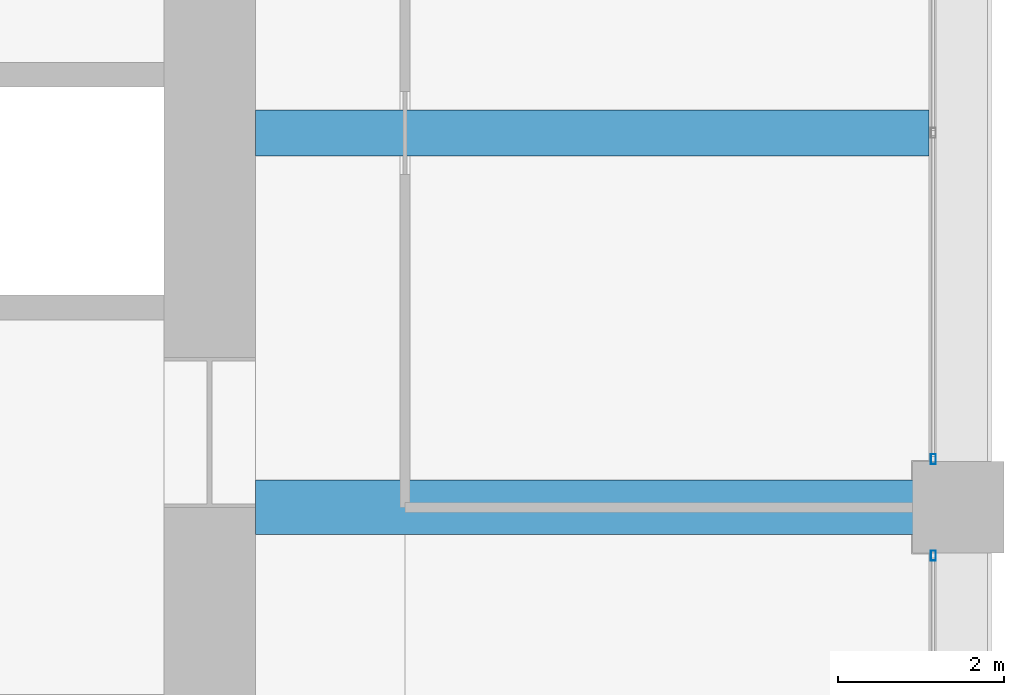
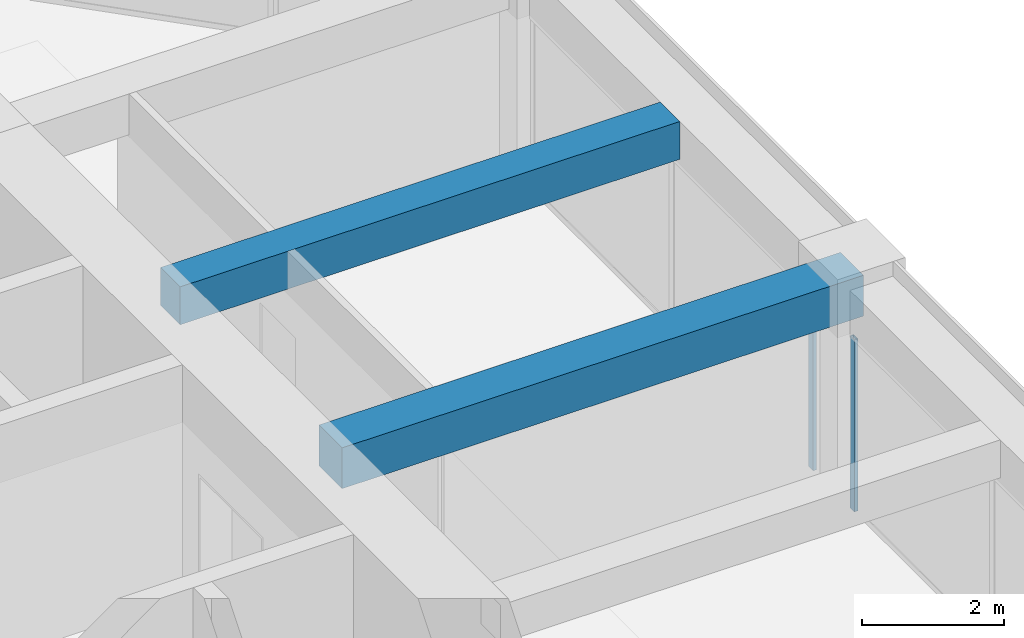
# One storey, part 26 of 44: 2 beams, 2 members, 2 elements without a shape of their own.
"""IFC4 building model written with IfcOpenShell, lengths in metres."""

from ifc_helpers import new_model, si_unit, direction, frame, origin, origin_2d, place, context, subcontext, project, spatial, rectangle, hollow_rectangle, extrude, material, material_profile, profile_set, type_object, element, aggregate, save


model = new_model("IFC4")

# Units and contexts
model_context = context("Model", 3, precision=1e-05, world=origin(), true_north=direction((0.0, 1.0)))
body_context = subcontext(model_context, "Body", "Model", "MODEL_VIEW")
ifc_project = project(units=[si_unit("LENGTHUNIT", "METRE"), si_unit("AREAUNIT", "SQUARE_METRE"), si_unit("VOLUMEUNIT", "CUBIC_METRE"), si_unit("PLANEANGLEUNIT", "RADIAN"), si_unit("MASSUNIT", "GRAM", prefix="KILO")], contexts=[model_context])

# Site, building, storey
site_placement = place(None, origin())
site = spatial("IfcSite", under=ifc_project, at=site_placement, CompositionType="ELEMENT")
building_placement = place(site_placement, origin())
building = spatial("IfcBuilding", under=site, at=building_placement, Name="Zorevar Civic Tower", CompositionType="ELEMENT")
storey_placement = place(building_placement, frame((0.0, 0.0, 251.39990234375)))
storey = spatial("IfcBuildingStorey", under=building, at=storey_placement, Name="L61", CompositionType="ELEMENT", Elevation=251.39990234375)

# Beams
ifc_material_1 = material(Name="Concrete C50/60", Category="concrete")
ifc_material_profile_1 = material_profile(ifc_material_1, rectangle(XDim=0.550048828125, YDim=0.64990234375, at=origin_2d()), Name="RC 550x650")
ifc_profile_set_1 = profile_set([ifc_material_profile_1], Name="Concrete C50/60")
beam_type_1 = type_object("IfcBeamType", Name="Beam RC 550x650", PredefinedType="BEAM", material=ifc_profile_set_1)
beam_1_placement = place(storey_placement, frame((45.550048828125, 31.5, 3.425048828125), z_axis=(1.0, 0.0, 0.0), x_axis=(0.0, 1.0, 0.0)))
element("IfcBeam", 1, at=beam_1_placement, inside=storey, type_object=beam_type_1, Name="Secondary beam L62", PredefinedType="BEAM", context=body_context, shape_type="SweptSolid", body=[
    extrude(rectangle(XDim=0.550048828125, YDim=0.64990234375, at=origin_2d()), origin(), (0.0, 0.0, 1.0), 8.099853515625),
])
ifc_material_2 = material(Name="Concrete C50/60", Category="concrete")
ifc_material_profile_2 = material_profile(ifc_material_2, rectangle(XDim=0.64990234375, YDim=0.699951171875, at=origin_2d()), Name="RC 650x700")
ifc_profile_set_2 = profile_set([ifc_material_profile_2], Name="Concrete C50/60")
beam_type_2 = type_object("IfcBeamType", Name="Beam RC 650x700", PredefinedType="BEAM", material=ifc_profile_set_2)
beam_2_placement = place(storey_placement, frame((45.550048828125, 27.0, 3.400146484375), z_axis=(1.0, 0.0, 0.0), x_axis=(0.0, 1.0, 0.0)))
element("IfcBeam", 2, at=beam_2_placement, inside=storey, type_object=beam_type_2, Name="Girder L62", PredefinedType="BEAM", context=body_context, shape_type="SweptSolid", body=[
    extrude(rectangle(XDim=0.64990234375, YDim=0.699951171875, at=origin_2d()), origin(), (0.0, 0.0, 1.0), 8.449951171875),
])

# Curtain wall, member
ifc_material_3 = material(Name="Dark grey solar-control glass in black aluminium frame", Category="aluminium")
curtain_wall_type = type_object("IfcCurtainWallType", Name="Curtain wall CW5 top zone", PredefinedType="NOTDEFINED", material=ifc_material_3)
curtain_wall_1_placement = place(storey_placement, origin())
curtain_wall_1 = element("IfcCurtainWall", 3, at=curtain_wall_1_placement, inside=storey, type_object=curtain_wall_type, Name="CW5 L61", PredefinedType="NOTDEFINED")
ifc_material_4 = material(Name="Aluminium, black anodised", Category="aluminium")
ifc_material_profile_3 = material_profile(ifc_material_4, hollow_rectangle(XDim=0.06005859375, YDim=0.1201171875, WallThickness=0.0029296875, at=origin_2d()), Name="AL 120x60x3")
ifc_profile_set_3 = profile_set([ifc_material_profile_3], Name="Aluminium, black anodised")
member_type = type_object("IfcMemberType", Name="CW5 mullion AL 120x60x3", PredefinedType="MULLION", material=ifc_profile_set_3)
member_1_placement = place(storey_placement, frame((53.699951171875, 26.419921875, 0.0), z_axis=(0.0, 0.0, 1.0), x_axis=(-1.0, 0.0, 0.0)))
member_1 = element("IfcMember", 4, at=member_1_placement, type_object=member_type, Name="CW5 mullion 3", PredefinedType="MULLION", context=body_context, shape_type="SweptSolid", body=[
    extrude(hollow_rectangle(XDim=0.06005859375, YDim=0.1201171875, WallThickness=0.0029296875, at=origin_2d()), origin(), (0.0, 0.0, 1.0), 2.9501953125),
])
aggregate(curtain_wall_1, [member_1])

curtain_wall_2_placement = place(storey_placement, origin())
curtain_wall_2 = element("IfcCurtainWall", 5, at=curtain_wall_2_placement, inside=storey, type_object=curtain_wall_type, Name="CW5 L61", PredefinedType="NOTDEFINED")
member_2_placement = place(storey_placement, frame((53.699951171875, 27.580078125, 0.0), z_axis=(0.0, 0.0, 1.0), x_axis=(-1.0, 0.0, 0.0)))
member_2 = element("IfcMember", 6, at=member_2_placement, type_object=member_type, Name="CW5 mullion 1", PredefinedType="MULLION", context=body_context, shape_type="SweptSolid", body=[
    extrude(hollow_rectangle(XDim=0.06005859375, YDim=0.1201171875, WallThickness=0.0029296875, at=origin_2d()), origin(), (0.0, 0.0, 1.0), 2.9501953125),
])
aggregate(curtain_wall_2, [member_2])

save(model, "model.ifc")
